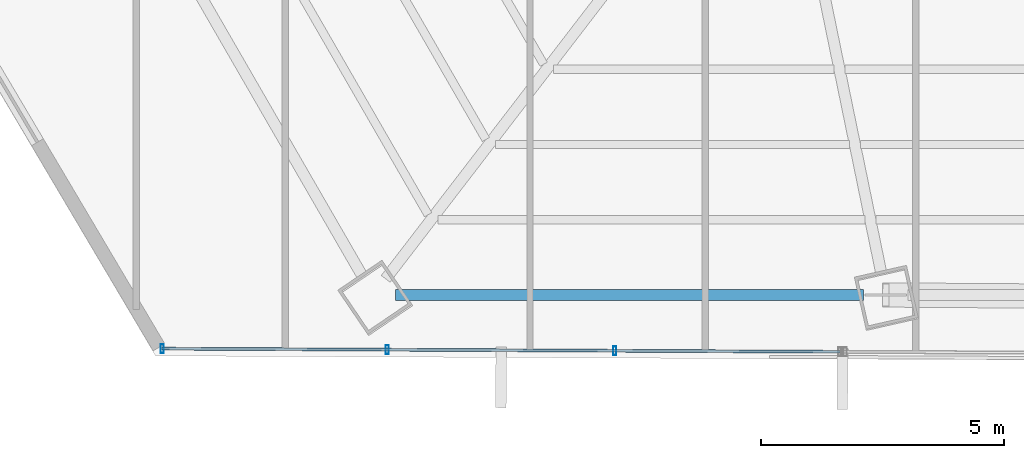
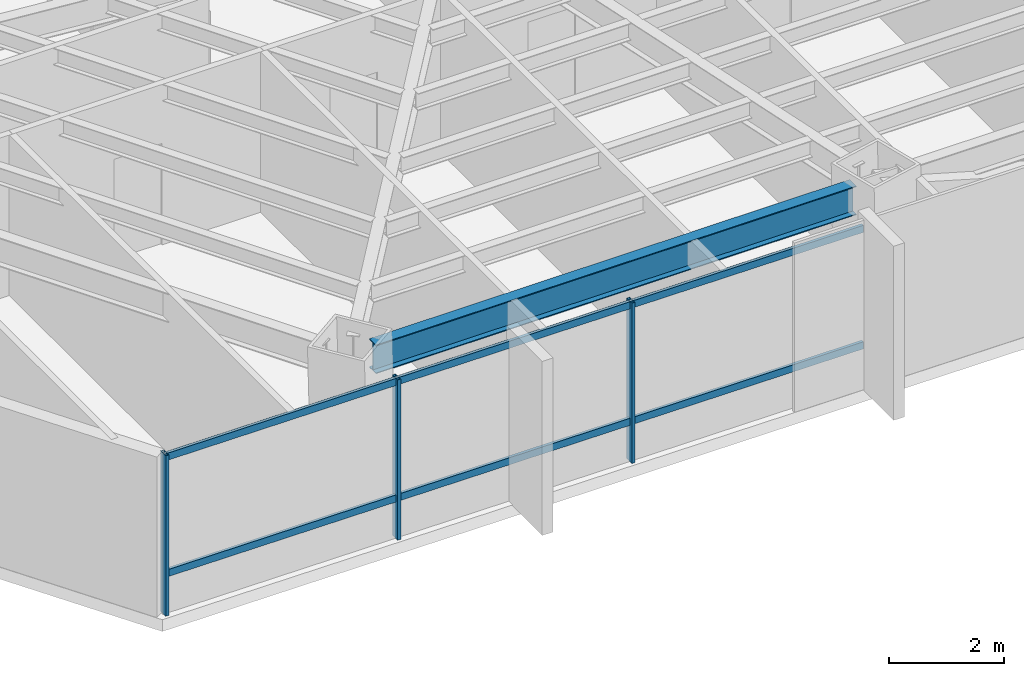
# One storey, part 4 of 36: 5 members, 1 beam, 1 element without a shape of its own.
"""IFC4 building model written with IfcOpenShell, lengths in metres."""

from ifc_helpers import new_model, si_unit, direction, frame, origin, origin_2d, place, context, subcontext, project, spatial, hollow_rectangle, i_section, extrude, source, transform, mapped, material, material_profile, profile_set, type_object, type_shapes, element, aggregate, save


model = new_model("IFC4")

# Units and contexts
model_context = context("Model", 3, precision=1e-05, world=origin(), true_north=direction((0.0, 1.0)))
body_context = subcontext(model_context, "Body", "Model", "MODEL_VIEW")
ifc_project = project(units=[si_unit("LENGTHUNIT", "METRE"), si_unit("AREAUNIT", "SQUARE_METRE"), si_unit("VOLUMEUNIT", "CUBIC_METRE"), si_unit("PLANEANGLEUNIT", "RADIAN"), si_unit("MASSUNIT", "GRAM", prefix="KILO")], contexts=[model_context])

# Site, building, storey
site_placement = place(None, origin())
site = spatial("IfcSite", under=ifc_project, at=site_placement, CompositionType="ELEMENT")
building_placement = place(site_placement, origin())
building = spatial("IfcBuilding", under=site, at=building_placement, Name="Caelisora Broadcast Tower", CompositionType="ELEMENT")
storey_placement = place(building_placement, frame((0.0, 0.0, 112.699951171875)))
storey = spatial("IfcBuildingStorey", under=building, at=storey_placement, Name="L29", CompositionType="ELEMENT", Elevation=112.699951171875)

# Beam
ifc_material_1 = material(Name="Steel Grade 350 (AS/NZS 3679.1)", Category="steel")
ifc_material_profile_1 = material_profile(ifc_material_1, i_section(OverallWidth=0.22900390625, OverallDepth=0.611572265625, WebThickness=0.011962890625, FlangeThickness=0.01953125, at=origin_2d()), Name="Steel Grade 350 (AS/NZS 3679.1)")
ifc_profile_set_1 = profile_set([ifc_material_profile_1], Name="Steel Grade 350 (AS/NZS 3679.1)")
beam_type = type_object("IfcBeamType", Name="PG03", PredefinedType="BEAM", material=ifc_profile_set_1)
shared_shape_1 = source(origin(), body_context, "Body", "SweptSolid", [
    extrude(i_section(OverallWidth=0.22900390625, OverallDepth=0.611572265625, WebThickness=0.011962890625, FlangeThickness=0.01953125, at=origin_2d()), origin(), (0.0, 0.0, 1.0), 9.6318359375),
])
type_shapes(beam_type, [shared_shape_1])
beam_placement = place(storey_placement, frame((22.63232421875, 6.557861328125, 3.09423828125), z_axis=(1.0, 0.0, 0.0), x_axis=(0.0, 1.0, 0.0)))
element("IfcBeam", 1, at=beam_placement, inside=storey, type_object=beam_type, Name="L29 beam PG03", PredefinedType="BEAM", context=body_context, shape_type="MappedRepresentation", body=[
    mapped(shared_shape_1, transform((0.0, 0.0, 0.0), scale=1.0)),
])

# Curtain wall, members
ifc_material_2 = material(Name="Unitised Aluminium and Low-E Glass Curtain Wall", Category="glass")
curtain_wall_type = type_object("IfcCurtainWallType", Name="CW-Z2", PredefinedType="NOTDEFINED", material=ifc_material_2)
curtain_wall_placement = place(storey_placement, origin())
curtain_wall = element("IfcCurtainWall", 2, at=curtain_wall_placement, inside=storey, type_object=curtain_wall_type, Name="L29 curtain wall CW-Z2", PredefinedType="NOTDEFINED")
ifc_material_3 = material(Name="Aluminium 6063-T6 Anodised Terracotta Bronze", Category="aluminium")
ifc_material_profile_2 = material_profile(ifc_material_3, hollow_rectangle(XDim=0.06494140625, YDim=0.179931640625, WallThickness=0.00341796875, at=origin_2d()), Name="Aluminium 6063-T6 Anodised Terracotta Bronze")
ifc_profile_set_2 = profile_set([ifc_material_profile_2], Name="Aluminium 6063-T6 Anodised Terracotta Bronze")
member_type_1 = type_object("IfcMemberType", Name="CWM-02", PredefinedType="MULLION", material=ifc_profile_set_2)
shared_shape_2 = source(origin(), body_context, "Body", "SweptSolid", [
    extrude(hollow_rectangle(XDim=0.06494140625, YDim=0.179931640625, WallThickness=0.00341796875, at=origin_2d()), origin(), (0.0, 0.0, 1.0), 3.400146484375),
])
type_shapes(member_type_1, [shared_shape_2])
member_1_placement = place(storey_placement, frame((27.145263671875, 5.40966796875, 0.0), z_axis=(0.0, 0.0, 1.0), x_axis=(1.0, 0.0, 0.0)))
member_1 = element("IfcMember", 3, at=member_1_placement, type_object=member_type_1, Name="L29-CW-B07 mullion #1", PredefinedType="MULLION", context=body_context, shape_type="MappedRepresentation", body=[
    mapped(shared_shape_2, transform((0.0, 0.0, 0.0), scale=1.0)),
])
member_2_placement = place(storey_placement, frame((22.460205078125, 5.431396484375, 0.0), z_axis=(0.0, 0.0, 1.0), x_axis=(1.0, 0.0, 0.0)))
member_2 = element("IfcMember", 4, at=member_2_placement, type_object=member_type_1, Name="L29-CW-B07 mullion #2", PredefinedType="MULLION", context=body_context, shape_type="MappedRepresentation", body=[
    mapped(shared_shape_2, transform((0.0, 0.0, 0.0), scale=1.0)),
])
member_3_placement = place(storey_placement, frame((17.824951171875, 5.452880859375, 0.0), z_axis=(0.0, 0.0, 1.0), x_axis=(1.0, 0.0, 0.0)))
member_3 = element("IfcMember", 5, at=member_3_placement, type_object=member_type_1, Name="L29-CW-B07 mullion #3", PredefinedType="MULLION", context=body_context, shape_type="MappedRepresentation", body=[
    mapped(shared_shape_2, transform((0.0, 0.0, 0.0), scale=1.0)),
])
ifc_material_profile_3 = material_profile(ifc_material_3, hollow_rectangle(XDim=0.06005859375, YDim=0.14990234375, WallThickness=0.00341796875, at=origin_2d()), Name="Aluminium 6063-T6 Anodised Terracotta Bronze")
ifc_profile_set_3 = profile_set([ifc_material_profile_3], Name="Aluminium 6063-T6 Anodised Terracotta Bronze")
member_type_2 = type_object("IfcMemberType", Name="CWT-02", PredefinedType="USERDEFINED", material=ifc_profile_set_3)
shared_shape_3 = source(origin(), body_context, "Body", "SweptSolid", [
    extrude(hollow_rectangle(XDim=0.06005859375, YDim=0.14990234375, WallThickness=0.00341796875, at=origin_2d()), origin(), (0.0, 0.0, 1.0), 13.955810546875),
])
type_shapes(member_type_2, [shared_shape_3])
member_4_placement = place(storey_placement, frame((31.780517578125, 5.38818359375, 0.85009765625), z_axis=(-0.999989254171, 0.004635897141, 0.0), x_axis=(-0.004635897141, -0.999989254171, 0.0)))
member_4 = element("IfcMember", 6, at=member_4_placement, type_object=member_type_2, Name="L29-CW-B07 transom #1", ObjectType="TRANSOM", PredefinedType="USERDEFINED", context=body_context, shape_type="MappedRepresentation", body=[
    mapped(shared_shape_3, transform((0.0, 0.0, 0.0), scale=1.0)),
])
member_5_placement = place(storey_placement, frame((31.780517578125, 5.38818359375, 3.320068359375), z_axis=(-0.999989254171, 0.004635897141, 0.0), x_axis=(-0.004635897141, -0.999989254171, 0.0)))
member_5 = element("IfcMember", 7, at=member_5_placement, type_object=member_type_2, Name="L29-CW-B07 transom #2", ObjectType="TRANSOM", PredefinedType="USERDEFINED", context=body_context, shape_type="MappedRepresentation", body=[
    mapped(shared_shape_3, transform((0.0, 0.0, 0.0), scale=1.0)),
])
aggregate(curtain_wall, [member_1, member_2, member_3, member_4, member_5])

save(model, "model.ifc")
